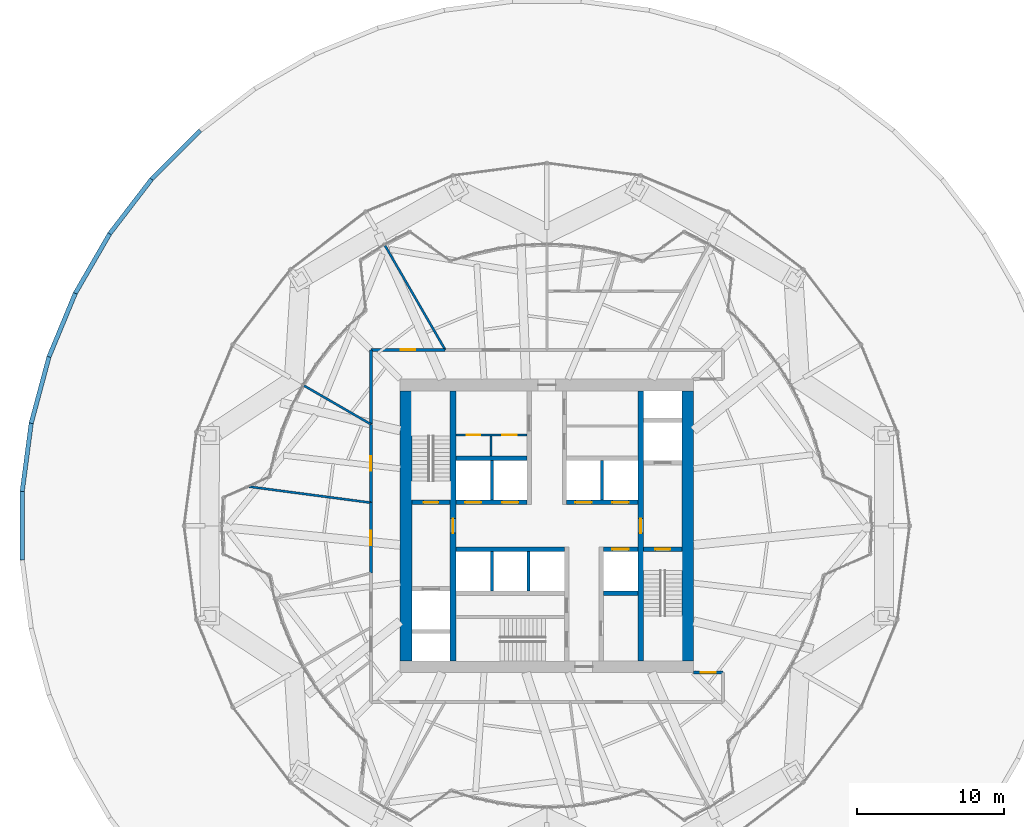
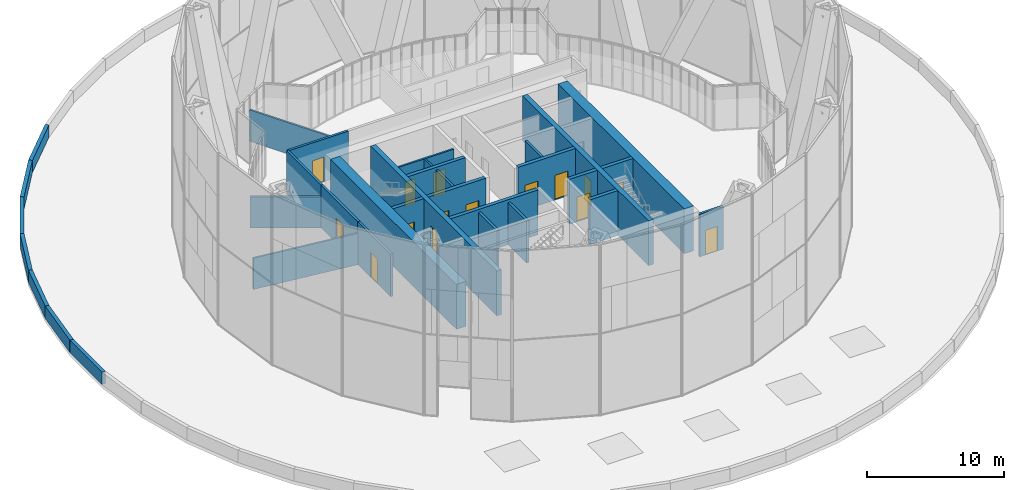
# One storey, part 24 of 27: 33 walls, 15 doors, 15 openings.
"""IFC4 building model written with IfcOpenShell, lengths in metres."""

from ifc_helpers import new_model, si_unit, direction, frame, frame_2d, origin, place, context, subcontext, project, spatial, rectangle, extrude, material, layer, layer_set, type_object, element, fill, save


model = new_model("IFC4")

# Units and contexts
model_context = context("Model", 3, precision=1e-05, world=origin(), true_north=direction((0.0, 1.0)))
body_context = subcontext(model_context, "Body", "Model", "MODEL_VIEW")
ifc_project = project(units=[si_unit("LENGTHUNIT", "METRE"), si_unit("AREAUNIT", "SQUARE_METRE"), si_unit("VOLUMEUNIT", "CUBIC_METRE"), si_unit("PLANEANGLEUNIT", "RADIAN"), si_unit("MASSUNIT", "GRAM", prefix="KILO")], contexts=[model_context])

# Site, building, storey
site_placement = place(None, origin())
site = spatial("IfcSite", under=ifc_project, at=site_placement, CompositionType="ELEMENT")
building_placement = place(site_placement, origin())
building = spatial("IfcBuilding", under=site, at=building_placement, Name="Golbaran Civic Tower", CompositionType="ELEMENT")
storey_placement = place(building_placement, frame((0.0, 0.0, 21.0)))
storey = spatial("IfcBuildingStorey", under=building, at=storey_placement, Name="L04", CompositionType="ELEMENT", Elevation=21.0)

# Wall, opening, door
ifc_material_1 = material(Name="Concrete C50/60", Category="concrete")
ifc_layer_1 = layer(ifc_material_1, 0.39990234375, Name="Concrete C50/60")
ifc_layer_set_1 = layer_set([ifc_layer_1], Name="Concrete C50/60")
wall_type_1 = type_object("IfcWallType", Name="CORE WALL CONCRETE 400", PredefinedType="SOLIDWALL", material=ifc_layer_set_1)
wall_1_placement = place(storey_placement, frame((-6.39990234375, -9.199951171875, 0.0), z_axis=(0.0, 0.0, 1.0), x_axis=(0.0, 1.0, 0.0)))
wall_1 = element("IfcWall", 1, at=wall_1_placement, inside=storey, type_object=wall_type_1, Name="Core wall IW L04", PredefinedType="SOLIDWALL", context=body_context, shape_type="SweptSolid", body=[
    extrude(rectangle(XDim=18.39990234375, YDim=0.39990234375, at=frame_2d((9.199951171875, 0.0))), origin(), (0.0, 0.0, 1.0), 4.0),
])
opening_1_placement = place(wall_1_placement, frame((8.699951171875, 0.0, 0.0)))
opening_1 = element("IfcOpeningElement", 2, at=opening_1_placement, cuts=wall_1, Name="Opening L04.FL1", PredefinedType="OPENING", context=body_context, shape_type="SweptSolid", body=[
    extrude(rectangle(XDim=1.0, YDim=2.199951171875, at=frame_2d((0.5, 1.10009765625))), frame((0.0, 0.2099609375, 0.0), z_axis=(0.0, -1.0, 0.0), x_axis=(1.0, 0.0, 0.0)), (0.0, 0.0, 1.0), 0.419921875),
])
ifc_material_2 = material(Name="Timber door set in steel frame", Category="steel")
door_type_1 = type_object("IfcDoorType", Name="STAIR DOOR 1000x2200", OperationType="SINGLE_SWING_LEFT", PredefinedType="DOOR", material=ifc_material_2)
door_1_placement = place(opening_1_placement, origin())
door_1 = element("IfcDoor", 3, at=door_1_placement, inside=storey, type_object=door_type_1, Name="Fire-fighting lobby FL1 door", OperationType="SINGLE_SWING_LEFT", OverallHeight=2.199951171875, OverallWidth=1.0, PredefinedType="DOOR", context=body_context, shape_type="SweptSolid", body=[
    extrude(rectangle(XDim=1.0, YDim=2.199951171875, at=frame_2d((0.5, 1.10009765625))), frame((0.0, 0.02490234375, 0.0), z_axis=(0.0, -1.0, 0.0), x_axis=(1.0, 0.0, 0.0)), (0.0, 0.0, 1.0), 0.050048828125),
])
fill(opening_1, door_1)

wall_2_placement = place(storey_placement, frame((6.39990234375, 9.199951171875, 0.0), z_axis=(0.0, 0.0, 1.0), x_axis=(0.0, -1.0, 0.0)))
wall_2 = element("IfcWall", 4, at=wall_2_placement, inside=storey, type_object=wall_type_1, Name="Core wall IE L04", PredefinedType="SOLIDWALL", context=body_context, shape_type="SweptSolid", body=[
    extrude(rectangle(XDim=18.39990234375, YDim=0.39990234375, at=frame_2d((9.199951171875, 0.0))), origin(), (0.0, 0.0, 1.0), 4.0),
])
opening_2_placement = place(wall_2_placement, frame((8.699951171875, 0.0, 0.0)))
opening_2 = element("IfcOpeningElement", 5, at=opening_2_placement, cuts=wall_2, Name="Opening L04.FL2", PredefinedType="OPENING", context=body_context, shape_type="SweptSolid", body=[
    extrude(rectangle(XDim=1.0, YDim=2.199951171875, at=frame_2d((0.5, 1.10009765625))), frame((0.0, 0.2099609375, 0.0), z_axis=(0.0, -1.0, 0.0), x_axis=(1.0, 0.0, 0.0)), (0.0, 0.0, 1.0), 0.419921875),
])
door_2_placement = place(opening_2_placement, origin())
door_2 = element("IfcDoor", 6, at=door_2_placement, inside=storey, type_object=door_type_1, Name="Fire-fighting lobby FL2 door", OperationType="SINGLE_SWING_RIGHT", OverallHeight=2.199951171875, OverallWidth=1.0, PredefinedType="DOOR", context=body_context, shape_type="SweptSolid", body=[
    extrude(rectangle(XDim=1.0, YDim=2.199951171875, at=frame_2d((0.5, 1.10009765625))), frame((0.0, 0.02490234375, 0.0), z_axis=(0.0, -1.0, 0.0), x_axis=(1.0, 0.0, 0.0)), (0.0, 0.0, 1.0), 0.050048828125),
])
fill(opening_2, door_2)

# Walls
ifc_layer_2 = layer(ifc_material_1, 0.800048828125, Name="Concrete C50/60")
ifc_layer_set_2 = layer_set([ifc_layer_2], Name="Concrete C50/60")
wall_type_2 = type_object("IfcWallType", Name="CORE WALL CONCRETE 800", PredefinedType="SOLIDWALL", material=ifc_layer_set_2)
for number, where, z_axis, x_axis, name in (
    (7, (9.60009765625, -9.199951171875, 0.0), (0.0, 0.0, 1.0), (0.0, 1.0, 0.0), "Core wall CE L04"),
    (8, (-9.60009765625, 9.199951171875, 0.0), (0.0, 0.0, 1.0), (0.0, -1.0, 0.0), "Core wall CW L04"),
):
    element("IfcWall", number, at=place(storey_placement, frame(where, z_axis=z_axis, x_axis=x_axis)), inside=storey, type_object=wall_type_2, Name=name, PredefinedType="SOLIDWALL", context=body_context, shape_type="SweptSolid", body=[
        extrude(rectangle(XDim=18.39990234375, YDim=0.800048828125, at=frame_2d((9.199951171875, 0.0))), origin(), (0.0, 0.0, 1.0), 4.0),
    ])

# Wall, opening, door
ifc_material_3 = material(Name="Gypsum board on steel studs, fire-rated", Category="steel")
ifc_layer_3 = layer(ifc_material_3, 0.199951171875, Name="Gypsum board on steel studs, fire-rated")
ifc_layer_set_3 = layer_set([ifc_layer_3], Name="Gypsum board on steel studs, fire-rated")
wall_type_3 = type_object("IfcWallType", Name="CORRIDOR WALL 200", PredefinedType="PARTITIONING", material=ifc_layer_set_3)
wall_3_placement = place(storey_placement, frame((-6.92822265625, 12.0, 0.0), z_axis=(0.0, 0.0, 1.0), x_axis=(-1.0, 0.0, 0.0)))
wall_3 = element("IfcWall", 9, at=wall_3_placement, inside=storey, type_object=wall_type_3, Name="Corridor wall L04", PredefinedType="PARTITIONING", context=body_context, shape_type="SweptSolid", body=[
    extrude(rectangle(XDim=5.07177734375, YDim=0.199951171875, at=frame_2d((2.535888671875, 0.0))), origin(), (0.0, 0.0, 1.0), 3.800048828125),
])
opening_3_placement = place(wall_3_placement, frame((2.035888671875, 0.0, 0.0)))
opening_3 = element("IfcOpeningElement", 10, at=opening_3_placement, cuts=wall_3, Name="Opening L04.06", PredefinedType="OPENING", context=body_context, shape_type="SweptSolid", body=[
    extrude(rectangle(XDim=1.0, YDim=2.199951171875, at=frame_2d((0.5, 1.10009765625))), frame((0.0, 0.10986328125, 0.0), z_axis=(0.0, -1.0, 0.0), x_axis=(1.0, 0.0, 0.0)), (0.0, 0.0, 1.0), 0.219970703125),
])
door_type_2 = type_object("IfcDoorType", Name="OFFICE DOOR 1000x2200", OperationType="SINGLE_SWING_LEFT", PredefinedType="DOOR", material=ifc_material_2)
door_3_placement = place(opening_3_placement, origin())
door_3 = element("IfcDoor", 11, at=door_3_placement, inside=storey, type_object=door_type_2, Name="Quiet Room door L04", OperationType="SINGLE_SWING_RIGHT", OverallHeight=2.199951171875, OverallWidth=1.0, PredefinedType="DOOR", context=body_context, shape_type="SweptSolid", body=[
    extrude(rectangle(XDim=1.0, YDim=2.199951171875, at=frame_2d((0.5, 1.10009765625))), frame((0.0, 0.02490234375, 0.0), z_axis=(0.0, -1.0, 0.0), x_axis=(1.0, 0.0, 0.0)), (0.0, 0.0, 1.0), 0.050048828125),
])
fill(opening_3, door_3)

# Wall
wall_4_placement = place(storey_placement, frame((-12.0, 12.0, 0.0), z_axis=(0.0, 0.0, 1.0), x_axis=(0.0, -1.0, 0.0)))
element("IfcWall", 12, at=wall_4_placement, inside=storey, type_object=wall_type_3, Name="Corridor wall L04", PredefinedType="PARTITIONING", context=body_context, shape_type="SweptSolid", body=[
    extrude(rectangle(XDim=5.07177734375, YDim=0.199951171875, at=frame_2d((2.535888671875, 0.0))), origin(), (0.0, 0.0, 1.0), 3.800048828125),
])

# Wall, opening, door
wall_5_placement = place(storey_placement, frame((-12.0, 6.92822265625, 0.0), z_axis=(0.0, 0.0, 1.0), x_axis=(0.0, -1.0, 0.0)))
wall_5 = element("IfcWall", 13, at=wall_5_placement, inside=storey, type_object=wall_type_3, Name="Corridor wall L04", PredefinedType="PARTITIONING", context=body_context, shape_type="SweptSolid", body=[
    extrude(rectangle(XDim=5.348388671875, YDim=0.199951171875, at=frame_2d((2.67431640625, 0.0))), origin(), (0.0, 0.0, 1.0), 3.800048828125),
])
opening_4_placement = place(wall_5_placement, frame((2.174072265625, 0.0, 0.0)))
opening_4 = element("IfcOpeningElement", 14, at=opening_4_placement, cuts=wall_5, Name="Opening L04.07", PredefinedType="OPENING", context=body_context, shape_type="SweptSolid", body=[
    extrude(rectangle(XDim=1.0, YDim=2.199951171875, at=frame_2d((0.5, 1.10009765625))), frame((0.0, 0.10986328125, 0.0), z_axis=(0.0, -1.0, 0.0), x_axis=(1.0, 0.0, 0.0)), (0.0, 0.0, 1.0), 0.219970703125),
])
door_4_placement = place(opening_4_placement, origin())
door_4 = element("IfcDoor", 15, at=door_4_placement, inside=storey, type_object=door_type_2, Name="Interview Room door L04", OperationType="SINGLE_SWING_RIGHT", OverallHeight=2.199951171875, OverallWidth=1.0, PredefinedType="DOOR", context=body_context, shape_type="SweptSolid", body=[
    extrude(rectangle(XDim=1.0, YDim=2.199951171875, at=frame_2d((0.5, 1.10009765625))), frame((0.0, 0.02490234375, 0.0), z_axis=(0.0, -1.0, 0.0), x_axis=(1.0, 0.0, 0.0)), (0.0, 0.0, 1.0), 0.050048828125),
])
fill(opening_4, door_4)

wall_6_placement = place(storey_placement, frame((-12.0, 1.579833984375, 0.0), z_axis=(0.0, 0.0, 1.0), x_axis=(0.0, -1.0, 0.0)))
wall_6 = element("IfcWall", 16, at=wall_6_placement, inside=storey, type_object=wall_type_3, Name="Corridor wall L04", PredefinedType="PARTITIONING", context=body_context, shape_type="SweptSolid", body=[
    extrude(rectangle(XDim=4.795166015625, YDim=0.199951171875, at=frame_2d((2.3974609375, 0.0))), origin(), (0.0, 0.0, 1.0), 3.800048828125),
])
opening_5_placement = place(wall_6_placement, frame((1.897705078125, 0.0, 0.0)))
opening_5 = element("IfcOpeningElement", 17, at=opening_5_placement, cuts=wall_6, Name="Opening L04.08", PredefinedType="OPENING", context=body_context, shape_type="SweptSolid", body=[
    extrude(rectangle(XDim=1.0, YDim=2.199951171875, at=frame_2d((0.5, 1.10009765625))), frame((0.0, 0.10986328125, 0.0), z_axis=(0.0, -1.0, 0.0), x_axis=(1.0, 0.0, 0.0)), (0.0, 0.0, 1.0), 0.219970703125),
])
door_5_placement = place(opening_5_placement, origin())
door_5 = element("IfcDoor", 18, at=door_5_placement, inside=storey, type_object=door_type_2, Name="Meeting Room door L04", OperationType="SINGLE_SWING_RIGHT", OverallHeight=2.199951171875, OverallWidth=1.0, PredefinedType="DOOR", context=body_context, shape_type="SweptSolid", body=[
    extrude(rectangle(XDim=1.0, YDim=2.199951171875, at=frame_2d((0.5, 1.10009765625))), frame((0.0, 0.02490234375, 0.0), z_axis=(0.0, -1.0, 0.0), x_axis=(1.0, 0.0, 0.0)), (0.0, 0.0, 1.0), 0.050048828125),
])
fill(opening_5, door_5)

wall_7_placement = place(storey_placement, frame((10.0, -10.0, 0.0), z_axis=(0.0, 0.0, 1.0), x_axis=(1.0, 0.0, 0.0)))
wall_7 = element("IfcWall", 19, at=wall_7_placement, inside=storey, type_object=wall_type_3, Name="Corridor end wall L04", PredefinedType="PARTITIONING", context=body_context, shape_type="SweptSolid", body=[
    extrude(rectangle(XDim=2.0, YDim=0.199951171875, at=frame_2d((1.0, 0.0))), origin(), (0.0, 0.0, 1.0), 3.800048828125),
])
opening_6_placement = place(wall_7_placement, frame((0.5, 0.0, 0.0)))
opening_6 = element("IfcOpeningElement", 20, at=opening_6_placement, cuts=wall_7, Name="Opening L04.18", PredefinedType="OPENING", context=body_context, shape_type="SweptSolid", body=[
    extrude(rectangle(XDim=1.0, YDim=2.199951171875, at=frame_2d((0.5, 1.10009765625))), frame((0.0, 0.10986328125, 0.0), z_axis=(0.0, -1.0, 0.0), x_axis=(1.0, 0.0, 0.0)), (0.0, 0.0, 1.0), 0.219970703125),
])
door_6_placement = place(opening_6_placement, origin())
door_6 = element("IfcDoor", 21, at=door_6_placement, inside=storey, type_object=door_type_2, Name="Open Office door L04", OperationType="SINGLE_SWING_LEFT", OverallHeight=2.199951171875, OverallWidth=1.0, PredefinedType="DOOR", context=body_context, shape_type="SweptSolid", body=[
    extrude(rectangle(XDim=1.0, YDim=2.199951171875, at=frame_2d((0.5, 1.10009765625))), frame((0.0, 0.02490234375, 0.0), z_axis=(0.0, -1.0, 0.0), x_axis=(1.0, 0.0, 0.0)), (0.0, 0.0, 1.0), 0.050048828125),
])
fill(opening_6, door_6)

# Walls
ifc_material_4 = material(Name="Concrete block", Category="concrete")
ifc_layer_4 = layer(ifc_material_4, 0.199951171875, Name="Concrete block")
ifc_layer_set_4 = layer_set([ifc_layer_4], Name="Concrete block")
wall_type_4 = type_object("IfcWallType", Name="LIFT SEPARATOR WALL 200", PredefinedType="SOLIDWALL", material=ifc_layer_set_4)
for number, where, z_axis, x_axis, name in (
    (22, (-3.75, 1.75, 0.0), (0.0, 0.0, 1.0), (0.0, 1.0, 0.0), "Core partition SNW L04"),
    (23, (3.75, 1.75, 0.0), (0.0, 0.0, 1.0), (0.0, 1.0, 0.0), "Core partition SNE L04"),
    (24, (-3.75, -1.75, 0.0), (0.0, 0.0, 1.0), (0.0, -1.0, 0.0), "Core partition SSW L04"),
    (25, (-1.25, -1.75, 0.0), (0.0, 0.0, 1.0), (0.0, -1.0, 0.0), "Core partition SSM L04"),
):
    element("IfcWall", number, at=place(storey_placement, frame(where, z_axis=z_axis, x_axis=x_axis)), inside=storey, type_object=wall_type_4, Name=name, PredefinedType="SOLIDWALL", context=body_context, shape_type="SweptSolid", body=[
        extrude(rectangle(XDim=2.699951171875, YDim=0.199951171875, at=frame_2d((1.35009765625, 0.0))), origin(), (0.0, 0.0, 1.0), 3.75),
    ])
ifc_material_5 = material(Name="Gypsum board on steel studs", Category="steel")
ifc_layer_5 = layer(ifc_material_5, 0.14990234375, Name="Gypsum board on steel studs")
ifc_layer_set_5 = layer_set([ifc_layer_5], Name="Gypsum board on steel studs")
wall_type_5 = type_object("IfcWallType", Name="OFFICE PARTITION 150", PredefinedType="PARTITIONING", material=ifc_layer_set_5)
wall_8_placement = place(storey_placement, frame((-6.92822265625, 12.0, 0.0), z_axis=(0.0, 0.0, 1.0), x_axis=(-0.499995243048, 0.866028150195, 0.0)))
element("IfcWall", 26, at=wall_8_placement, inside=storey, type_object=wall_type_5, Name="Partition 120 L04", PredefinedType="PARTITIONING", context=body_context, shape_type="SweptSolid", body=[
    extrude(rectangle(XDim=8.2119140625, YDim=0.14990234375, at=frame_2d((4.10595703125, 0.0))), origin(), (0.0, 0.0, 1.0), 2.7900390625),
])
wall_9_placement = place(storey_placement, frame((-12.0, 6.92822265625, 0.0), z_axis=(0.0, 0.0, 1.0), x_axis=(-0.866029667373, 0.499992615176, 0.0)))
element("IfcWall", 27, at=wall_9_placement, inside=storey, type_object=wall_type_5, Name="Partition 150 L04", PredefinedType="PARTITIONING", context=body_context, shape_type="SweptSolid", body=[
    extrude(rectangle(XDim=5.26708984375, YDim=0.14990234375, at=frame_2d((2.633544921875, 0.0))), origin(), (0.0, 0.0, 1.0), 2.7900390625),
])
wall_10_placement = place(storey_placement, frame((-12.0, 1.579833984375, 0.0), z_axis=(0.0, 0.0, 1.0), x_axis=(-0.991443666399, 0.130535268634, 0.0)))
element("IfcWall", 28, at=wall_10_placement, inside=storey, type_object=wall_type_5, Name="Partition 172.5 L04", PredefinedType="PARTITIONING", context=body_context, shape_type="SweptSolid", body=[
    extrude(rectangle(XDim=8.36767578125, YDim=0.14990234375, at=frame_2d((4.183837890625, 0.0))), origin(), (0.0, 0.0, 1.0), 2.7900390625),
])
ifc_material_6 = material(Name="Terracotta brick", Category="masonry")
ifc_layer_6 = layer(ifc_material_6, 0.300048828125, Name="Terracotta brick")
ifc_layer_set_6 = layer_set([ifc_layer_6], Name="Terracotta brick")
wall_type_6 = type_object("IfcWallType", Name="PARAPET WALL 300", PredefinedType="PARAPET", material=ifc_layer_set_6)
wall_11_placement = place(storey_placement, frame((-23.637451171875, 26.953369140625, 0.0), z_axis=(0.0, 0.0, 1.0), x_axis=(-0.707106781187, -0.707106781187, 0.0)))
element("IfcWall", 29, at=wall_11_placement, inside=storey, type_object=wall_type_6, Name="Podium roof parapet 18", PredefinedType="PARAPET", context=body_context, shape_type="SweptSolid", body=[
    extrude(rectangle(XDim=4.689453125, YDim=0.300048828125, at=frame_2d((2.3447265625, 0.0))), origin(), (0.0, 0.0, 1.0), 1.10009765625),
])
wall_12_placement = place(storey_placement, frame((-26.953369140625, 23.637451171875, 0.0), z_axis=(0.0, 0.0, 1.0), x_axis=(-0.608776874879, -0.793341488019, 0.0)))
element("IfcWall", 30, at=wall_12_placement, inside=storey, type_object=wall_type_6, Name="Podium roof parapet 19", PredefinedType="PARAPET", context=body_context, shape_type="SweptSolid", body=[
    extrude(rectangle(XDim=4.689208984375, YDim=0.300048828125, at=frame_2d((2.3447265625, 0.0))), origin(), (0.0, 0.0, 1.0), 1.10009765625),
])
wall_13_placement = place(storey_placement, frame((-29.80810546875, 19.917236328125, 0.0), z_axis=(0.0, 0.0, 1.0), x_axis=(-0.499991342483, -0.866030402146, 0.0)))
element("IfcWall", 31, at=wall_13_placement, inside=storey, type_object=wall_type_6, Name="Podium roof parapet 20", PredefinedType="PARAPET", context=body_context, shape_type="SweptSolid", body=[
    extrude(rectangle(XDim=4.689453125, YDim=0.300048828125, at=frame_2d((2.3447265625, 0.0))), origin(), (0.0, 0.0, 1.0), 1.10009765625),
])
wall_14_placement = place(storey_placement, frame((-32.15283203125, 15.85595703125, 0.0), z_axis=(0.0, 0.0, 1.0), x_axis=(-0.382718109354, -0.92386516807, 0.0)))
element("IfcWall", 32, at=wall_14_placement, inside=storey, type_object=wall_type_6, Name="Podium roof parapet 21", PredefinedType="PARAPET", context=body_context, shape_type="SweptSolid", body=[
    extrude(rectangle(XDim=4.689208984375, YDim=0.300048828125, at=frame_2d((2.3447265625, 0.0))), origin(), (0.0, 0.0, 1.0), 1.10009765625),
])
wall_15_placement = place(storey_placement, frame((-33.947509765625, 11.523681640625, 0.0), z_axis=(0.0, 0.0, 1.0), x_axis=(-0.258793334411, -0.965932715081, 0.0)))
element("IfcWall", 33, at=wall_15_placement, inside=storey, type_object=wall_type_6, Name="Podium roof parapet 22", PredefinedType="PARAPET", context=body_context, shape_type="SweptSolid", body=[
    extrude(rectangle(XDim=4.689453125, YDim=0.300048828125, at=frame_2d((2.3447265625, 0.0))), origin(), (0.0, 0.0, 1.0), 1.10009765625),
])
wall_16_placement = place(storey_placement, frame((-35.1611328125, 6.993896484375, 0.0), z_axis=(0.0, 0.0, 1.0), x_axis=(-0.130523197803, -0.991445255592, 0.0)))
element("IfcWall", 34, at=wall_16_placement, inside=storey, type_object=wall_type_6, Name="Podium roof parapet 23", PredefinedType="PARAPET", context=body_context, shape_type="SweptSolid", body=[
    extrude(rectangle(XDim=4.689208984375, YDim=0.300048828125, at=frame_2d((2.3447265625, 0.0))), origin(), (0.0, 0.0, 1.0), 1.10009765625),
])
wall_17_placement = place(storey_placement, frame((-35.773193359375, 2.3447265625, 0.0), z_axis=(0.0, 0.0, 1.0), x_axis=(0.0, -1.0, 0.0)))
element("IfcWall", 35, at=wall_17_placement, inside=storey, type_object=wall_type_6, Name="Podium roof parapet 24", PredefinedType="PARAPET", context=body_context, shape_type="SweptSolid", body=[
    extrude(rectangle(XDim=4.689453125, YDim=0.300048828125, at=frame_2d((2.3447265625, 0.0))), origin(), (0.0, 0.0, 1.0), 1.10009765625),
])

# Wall, openings, doors
ifc_layer_7 = layer(ifc_material_1, 0.300048828125, Name="Concrete C50/60")
ifc_layer_set_7 = layer_set([ifc_layer_7], Name="Concrete C50/60")
wall_type_7 = type_object("IfcWallType", Name="SHAFT WALL CONCRETE 300", PredefinedType="SOLIDWALL", material=ifc_layer_set_7)
wall_18_placement = place(storey_placement, frame((-6.199951171875, 1.60009765625, 0.0), z_axis=(0.0, 0.0, 1.0), x_axis=(1.0, 0.0, 0.0)))
wall_18 = element("IfcWall", 36, at=wall_18_placement, inside=storey, type_object=wall_type_7, Name="Core wall FNW L04", PredefinedType="SOLIDWALL", context=body_context, shape_type="SweptSolid", body=[
    extrude(rectangle(XDim=4.849853515625, YDim=0.300048828125, at=frame_2d((2.4248046875, 0.0))), origin(), (0.0, 0.0, 1.0), 4.0),
])
opening_7_placement = place(wall_18_placement, frame((0.625, 0.0, 0.0)))
opening_7 = element("IfcOpeningElement", 37, at=opening_7_placement, cuts=wall_18, Name="Opening L04.LD-Z1L", PredefinedType="OPENING", context=body_context, shape_type="SweptSolid", body=[
    extrude(rectangle(XDim=1.10009765625, YDim=2.199951171875, at=frame_2d((0.550048828125, 1.10009765625))), frame((0.0, 0.159912109375, 0.0), z_axis=(0.0, -1.0, 0.0), x_axis=(1.0, 0.0, 0.0)), (0.0, 0.0, 1.0), 0.320068359375),
])
opening_8_placement = place(wall_18_placement, frame((3.14990234375, 0.0, 0.0)))
opening_8 = element("IfcOpeningElement", 38, at=opening_8_placement, cuts=wall_18, Name="Opening L04.LD-Z2L", PredefinedType="OPENING", context=body_context, shape_type="SweptSolid", body=[
    extrude(rectangle(XDim=1.10009765625, YDim=2.199951171875, at=frame_2d((0.550048828125, 1.10009765625))), frame((0.0, 0.159912109375, 0.0), z_axis=(0.0, -1.0, 0.0), x_axis=(1.0, 0.0, 0.0)), (0.0, 0.0, 1.0), 0.320068359375),
])
ifc_material_7 = material(Name="Stainless steel", Category="steel")
door_type_3 = type_object("IfcDoorType", Name="LIFT LANDING DOOR 1100x2200", OperationType="SLIDING_TO_LEFT", PredefinedType="DOOR", material=ifc_material_7)
door_7_placement = place(opening_7_placement, origin())
door_7 = element("IfcDoor", 39, at=door_7_placement, inside=storey, type_object=door_type_3, Name="Lift landing door Z1L", OperationType="SLIDING_TO_LEFT", OverallHeight=2.199951171875, OverallWidth=1.10009765625, PredefinedType="DOOR", context=body_context, shape_type="SweptSolid", body=[
    extrude(rectangle(XDim=1.10009765625, YDim=2.199951171875, at=frame_2d((0.550048828125, 1.10009765625))), frame((0.0, 0.02490234375, 0.0), z_axis=(0.0, -1.0, 0.0), x_axis=(1.0, 0.0, 0.0)), (0.0, 0.0, 1.0), 0.050048828125),
])
fill(opening_7, door_7)
door_8_placement = place(opening_8_placement, origin())
door_8 = element("IfcDoor", 40, at=door_8_placement, inside=storey, type_object=door_type_3, Name="Lift landing door Z2L", OperationType="SLIDING_TO_LEFT", OverallHeight=2.199951171875, OverallWidth=1.10009765625, PredefinedType="DOOR", context=body_context, shape_type="SweptSolid", body=[
    extrude(rectangle(XDim=1.10009765625, YDim=2.199951171875, at=frame_2d((0.550048828125, 1.10009765625))), frame((0.0, 0.02490234375, 0.0), z_axis=(0.0, -1.0, 0.0), x_axis=(1.0, 0.0, 0.0)), (0.0, 0.0, 1.0), 0.050048828125),
])
fill(opening_8, door_8)

wall_19_placement = place(storey_placement, frame((1.35009765625, 1.60009765625, 0.0), z_axis=(0.0, 0.0, 1.0), x_axis=(1.0, 0.0, 0.0)))
wall_19 = element("IfcWall", 41, at=wall_19_placement, inside=storey, type_object=wall_type_7, Name="Core wall FNE L04", PredefinedType="SOLIDWALL", context=body_context, shape_type="SweptSolid", body=[
    extrude(rectangle(XDim=4.849853515625, YDim=0.300048828125, at=frame_2d((2.4248046875, 0.0))), origin(), (0.0, 0.0, 1.0), 4.0),
])
opening_9_placement = place(wall_19_placement, frame((0.60009765625, 0.0, 0.0)))
opening_9 = element("IfcOpeningElement", 42, at=opening_9_placement, cuts=wall_19, Name="Opening L04.LD-Z3L", PredefinedType="OPENING", context=body_context, shape_type="SweptSolid", body=[
    extrude(rectangle(XDim=1.10009765625, YDim=2.199951171875, at=frame_2d((0.550048828125, 1.10009765625))), frame((0.0, 0.159912109375, 0.0), z_axis=(0.0, -1.0, 0.0), x_axis=(1.0, 0.0, 0.0)), (0.0, 0.0, 1.0), 0.320068359375),
])
opening_10_placement = place(wall_19_placement, frame((3.125, 0.0, 0.0)))
opening_10 = element("IfcOpeningElement", 43, at=opening_10_placement, cuts=wall_19, Name="Opening L04.LD-Z4L", PredefinedType="OPENING", context=body_context, shape_type="SweptSolid", body=[
    extrude(rectangle(XDim=1.10009765625, YDim=2.199951171875, at=frame_2d((0.550048828125, 1.10009765625))), frame((0.0, 0.159912109375, 0.0), z_axis=(0.0, -1.0, 0.0), x_axis=(1.0, 0.0, 0.0)), (0.0, 0.0, 1.0), 0.320068359375),
])
door_9_placement = place(opening_9_placement, origin())
door_9 = element("IfcDoor", 44, at=door_9_placement, inside=storey, type_object=door_type_3, Name="Lift landing door Z3L", OperationType="SLIDING_TO_LEFT", OverallHeight=2.199951171875, OverallWidth=1.10009765625, PredefinedType="DOOR", context=body_context, shape_type="SweptSolid", body=[
    extrude(rectangle(XDim=1.10009765625, YDim=2.199951171875, at=frame_2d((0.550048828125, 1.10009765625))), frame((0.0, 0.02490234375, 0.0), z_axis=(0.0, -1.0, 0.0), x_axis=(1.0, 0.0, 0.0)), (0.0, 0.0, 1.0), 0.050048828125),
])
fill(opening_9, door_9)
door_10_placement = place(opening_10_placement, origin())
door_10 = element("IfcDoor", 45, at=door_10_placement, inside=storey, type_object=door_type_3, Name="Lift landing door Z4L", OperationType="SLIDING_TO_LEFT", OverallHeight=2.199951171875, OverallWidth=1.10009765625, PredefinedType="DOOR", context=body_context, shape_type="SweptSolid", body=[
    extrude(rectangle(XDim=1.10009765625, YDim=2.199951171875, at=frame_2d((0.550048828125, 1.10009765625))), frame((0.0, 0.02490234375, 0.0), z_axis=(0.0, -1.0, 0.0), x_axis=(1.0, 0.0, 0.0)), (0.0, 0.0, 1.0), 0.050048828125),
])
fill(opening_10, door_10)

# Walls
wall_20_placement = place(storey_placement, frame((-6.199951171875, 4.60009765625, 0.0), z_axis=(0.0, 0.0, 1.0), x_axis=(1.0, 0.0, 0.0)))
element("IfcWall", 46, at=wall_20_placement, inside=storey, type_object=wall_type_7, Name="Core wall BNW L04", PredefinedType="SOLIDWALL", context=body_context, shape_type="SweptSolid", body=[
    extrude(rectangle(XDim=4.849853515625, YDim=0.300048828125, at=frame_2d((2.4248046875, 0.0))), origin(), (0.0, 0.0, 1.0), 4.0),
])
wall_21_placement = place(storey_placement, frame((-6.199951171875, -1.60009765625, 0.0), z_axis=(0.0, 0.0, 1.0), x_axis=(1.0, 0.0, 0.0)))
element("IfcWall", 47, at=wall_21_placement, inside=storey, type_object=wall_type_7, Name="Core wall FSW L04", PredefinedType="SOLIDWALL", context=body_context, shape_type="SweptSolid", body=[
    extrude(rectangle(XDim=7.39990234375, YDim=0.300048828125, at=frame_2d((3.699951171875, 0.0))), origin(), (0.0, 0.0, 1.0), 4.0),
])

# Wall, opening, door
wall_22_placement = place(storey_placement, frame((3.85009765625, -1.60009765625, 0.0), z_axis=(0.0, 0.0, 1.0), x_axis=(1.0, 0.0, 0.0)))
wall_22 = element("IfcWall", 48, at=wall_22_placement, inside=storey, type_object=wall_type_7, Name="Core wall FSE L04", PredefinedType="SOLIDWALL", context=body_context, shape_type="SweptSolid", body=[
    extrude(rectangle(XDim=2.349853515625, YDim=0.300048828125, at=frame_2d((1.1748046875, 0.0))), origin(), (0.0, 0.0, 1.0), 4.0),
])
opening_11_placement = place(wall_22_placement, frame((0.625, 0.0, 0.0)))
opening_11 = element("IfcOpeningElement", 49, at=opening_11_placement, cuts=wall_22, Name="Opening L04.LD-V1", PredefinedType="OPENING", context=body_context, shape_type="SweptSolid", body=[
    extrude(rectangle(XDim=1.10009765625, YDim=2.199951171875, at=frame_2d((0.550048828125, 1.10009765625))), frame((0.0, 0.159912109375, 0.0), z_axis=(0.0, -1.0, 0.0), x_axis=(1.0, 0.0, 0.0)), (0.0, 0.0, 1.0), 0.320068359375),
])
door_11_placement = place(opening_11_placement, origin())
door_11 = element("IfcDoor", 50, at=door_11_placement, inside=storey, type_object=door_type_3, Name="Lift landing door V1", OperationType="SLIDING_TO_LEFT", OverallHeight=2.199951171875, OverallWidth=1.10009765625, PredefinedType="DOOR", context=body_context, shape_type="SweptSolid", body=[
    extrude(rectangle(XDim=1.10009765625, YDim=2.199951171875, at=frame_2d((0.550048828125, 1.10009765625))), frame((0.0, 0.02490234375, 0.0), z_axis=(0.0, -1.0, 0.0), x_axis=(1.0, 0.0, 0.0)), (0.0, 0.0, 1.0), 0.050048828125),
])
fill(opening_11, door_11)

# Wall
wall_23_placement = place(storey_placement, frame((3.85009765625, -4.60009765625, 0.0), z_axis=(0.0, 0.0, 1.0), x_axis=(1.0, 0.0, 0.0)))
element("IfcWall", 51, at=wall_23_placement, inside=storey, type_object=wall_type_7, Name="Core wall BSE L04", PredefinedType="SOLIDWALL", context=body_context, shape_type="SweptSolid", body=[
    extrude(rectangle(XDim=2.349853515625, YDim=0.300048828125, at=frame_2d((1.1748046875, 0.0))), origin(), (0.0, 0.0, 1.0), 4.0),
])

# Wall, opening, door
wall_24_placement = place(storey_placement, frame((-9.199951171875, 1.60009765625, 0.0), z_axis=(0.0, 0.0, 1.0), x_axis=(1.0, 0.0, 0.0)))
wall_24 = element("IfcWall", 52, at=wall_24_placement, inside=storey, type_object=wall_type_7, Name="Core wall XW1 L04", PredefinedType="SOLIDWALL", context=body_context, shape_type="SweptSolid", body=[
    extrude(rectangle(XDim=2.599853515625, YDim=0.300048828125, at=frame_2d((1.2998046875, 0.0))), origin(), (0.0, 0.0, 1.0), 4.0),
])
opening_12_placement = place(wall_24_placement, frame((0.800048828125, 0.0, 0.0)))
opening_12 = element("IfcOpeningElement", 53, at=opening_12_placement, cuts=wall_24, Name="Opening L04.S1", PredefinedType="OPENING", context=body_context, shape_type="SweptSolid", body=[
    extrude(rectangle(XDim=1.0, YDim=2.199951171875, at=frame_2d((0.5, 1.10009765625))), frame((0.0, 0.159912109375, 0.0), z_axis=(0.0, -1.0, 0.0), x_axis=(1.0, 0.0, 0.0)), (0.0, 0.0, 1.0), 0.320068359375),
])
door_12_placement = place(opening_12_placement, origin())
door_12 = element("IfcDoor", 54, at=door_12_placement, inside=storey, type_object=door_type_1, Name="Stair S1 door", OperationType="SINGLE_SWING_LEFT", OverallHeight=2.199951171875, OverallWidth=1.0, PredefinedType="DOOR", context=body_context, shape_type="SweptSolid", body=[
    extrude(rectangle(XDim=1.0, YDim=2.199951171875, at=frame_2d((0.5, 1.10009765625))), frame((0.0, 0.02490234375, 0.0), z_axis=(0.0, -1.0, 0.0), x_axis=(1.0, 0.0, 0.0)), (0.0, 0.0, 1.0), 0.050048828125),
])
fill(opening_12, door_12)

wall_25_placement = place(storey_placement, frame((6.60009765625, -1.60009765625, 0.0), z_axis=(0.0, 0.0, 1.0), x_axis=(1.0, 0.0, 0.0)))
wall_25 = element("IfcWall", 55, at=wall_25_placement, inside=storey, type_object=wall_type_7, Name="Core wall XE1 L04", PredefinedType="SOLIDWALL", context=body_context, shape_type="SweptSolid", body=[
    extrude(rectangle(XDim=2.599853515625, YDim=0.300048828125, at=frame_2d((1.2998046875, 0.0))), origin(), (0.0, 0.0, 1.0), 4.0),
])
opening_13_placement = place(wall_25_placement, frame((0.800048828125, 0.0, 0.0)))
opening_13 = element("IfcOpeningElement", 56, at=opening_13_placement, cuts=wall_25, Name="Opening L04.S2", PredefinedType="OPENING", context=body_context, shape_type="SweptSolid", body=[
    extrude(rectangle(XDim=1.0, YDim=2.199951171875, at=frame_2d((0.5, 1.10009765625))), frame((0.0, 0.159912109375, 0.0), z_axis=(0.0, -1.0, 0.0), x_axis=(1.0, 0.0, 0.0)), (0.0, 0.0, 1.0), 0.320068359375),
])
door_13_placement = place(opening_13_placement, origin())
door_13 = element("IfcDoor", 57, at=door_13_placement, inside=storey, type_object=door_type_1, Name="Stair S2 door", OperationType="SINGLE_SWING_LEFT", OverallHeight=2.199951171875, OverallWidth=1.0, PredefinedType="DOOR", context=body_context, shape_type="SweptSolid", body=[
    extrude(rectangle(XDim=1.0, YDim=2.199951171875, at=frame_2d((0.5, 1.10009765625))), frame((0.0, 0.02490234375, 0.0), z_axis=(0.0, -1.0, 0.0), x_axis=(1.0, 0.0, 0.0)), (0.0, 0.0, 1.0), 0.050048828125),
])
fill(opening_13, door_13)

# Wall, openings, doors
ifc_material_8 = material(Name="Moisture-resistant gypsum board on steel studs", Category="steel")
ifc_layer_8 = layer(ifc_material_8, 0.14990234375, Name="Moisture-resistant gypsum board on steel studs")
ifc_layer_set_8 = layer_set([ifc_layer_8], Name="Moisture-resistant gypsum board on steel studs")
wall_type_8 = type_object("IfcWallType", Name="TOILET BLOCK PARTITION 150", PredefinedType="PARTITIONING", material=ifc_layer_set_8)
wall_26_placement = place(storey_placement, frame((-6.199951171875, 6.199951171875, 0.0), z_axis=(0.0, 0.0, 1.0), x_axis=(1.0, 0.0, 0.0)))
wall_26 = element("IfcWall", 58, at=wall_26_placement, inside=storey, type_object=wall_type_8, Name="Toilet block partition MSH L04", PredefinedType="PARTITIONING", context=body_context, shape_type="SweptSolid", body=[
    extrude(rectangle(XDim=4.849853515625, YDim=0.14990234375, at=frame_2d((2.4248046875, 0.0))), origin(), (0.0, 0.0, 1.0), 3.75),
])
opening_14_placement = place(wall_26_placement, frame((3.14990234375, 0.0, 0.0)))
opening_14 = element("IfcOpeningElement", 59, at=opening_14_placement, cuts=wall_26, Name="Opening L04.15", PredefinedType="OPENING", context=body_context, shape_type="SweptSolid", body=[
    extrude(rectangle(XDim=1.0, YDim=2.199951171875, at=frame_2d((0.5, 1.10009765625))), frame((0.0, 0.0849609375, 0.0), z_axis=(0.0, -1.0, 0.0), x_axis=(1.0, 0.0, 0.0)), (0.0, 0.0, 1.0), 0.169921875),
])
opening_15_placement = place(wall_26_placement, frame((0.75, 0.0, 0.0)))
opening_15 = element("IfcOpeningElement", 60, at=opening_15_placement, cuts=wall_26, Name="Opening L04.16", PredefinedType="OPENING", context=body_context, shape_type="SweptSolid", body=[
    extrude(rectangle(XDim=0.89990234375, YDim=2.199951171875, at=frame_2d((0.449951171875, 1.10009765625))), frame((0.0, 0.0849609375, 0.0), z_axis=(0.0, -1.0, 0.0), x_axis=(1.0, 0.0, 0.0)), (0.0, 0.0, 1.0), 0.169921875),
])
door_type_4 = type_object("IfcDoorType", Name="RISER DOOR 900x2200", OperationType="SINGLE_SWING_LEFT", PredefinedType="DOOR", material=ifc_material_2)
door_14_placement = place(opening_15_placement, origin())
door_14 = element("IfcDoor", 61, at=door_14_placement, inside=storey, type_object=door_type_4, Name="Cleaner's store door", OperationType="SINGLE_SWING_LEFT", OverallHeight=2.199951171875, OverallWidth=0.89990234375, PredefinedType="DOOR", context=body_context, shape_type="SweptSolid", body=[
    extrude(rectangle(XDim=0.89990234375, YDim=2.199951171875, at=frame_2d((0.449951171875, 1.10009765625))), frame((0.0, 0.02490234375, 0.0), z_axis=(0.0, -1.0, 0.0), x_axis=(1.0, 0.0, 0.0)), (0.0, 0.0, 1.0), 0.050048828125),
])
fill(opening_15, door_14)
door_type_5 = type_object("IfcDoorType", Name="TOILET DOOR 1000x2200", OperationType="SINGLE_SWING_LEFT", PredefinedType="DOOR", material=ifc_material_2)
door_15_placement = place(opening_14_placement, origin())
door_15 = element("IfcDoor", 62, at=door_15_placement, inside=storey, type_object=door_type_5, Name="Male shower room door", OperationType="SINGLE_SWING_RIGHT", OverallHeight=2.199951171875, OverallWidth=1.0, PredefinedType="DOOR", context=body_context, shape_type="SweptSolid", body=[
    extrude(rectangle(XDim=1.0, YDim=2.199951171875, at=frame_2d((0.5, 1.10009765625))), frame((0.0, 0.02490234375, 0.0), z_axis=(0.0, -1.0, 0.0), x_axis=(1.0, 0.0, 0.0)), (0.0, 0.0, 1.0), 0.050048828125),
])
fill(opening_14, door_15)

# Wall
wall_27_placement = place(storey_placement, frame((-3.800048828125, 4.75, 0.0), z_axis=(0.0, 0.0, 1.0), x_axis=(0.0, 1.0, 0.0)))
element("IfcWall", 63, at=wall_27_placement, inside=storey, type_object=wall_type_8, Name="Toilet block partition MST L04", PredefinedType="PARTITIONING", context=body_context, shape_type="SweptSolid", body=[
    extrude(rectangle(XDim=1.375, YDim=0.14990234375, at=frame_2d((0.6875, 0.0))), origin(), (0.0, 0.0, 1.0), 3.75),
])

save(model, "model.ifc")
